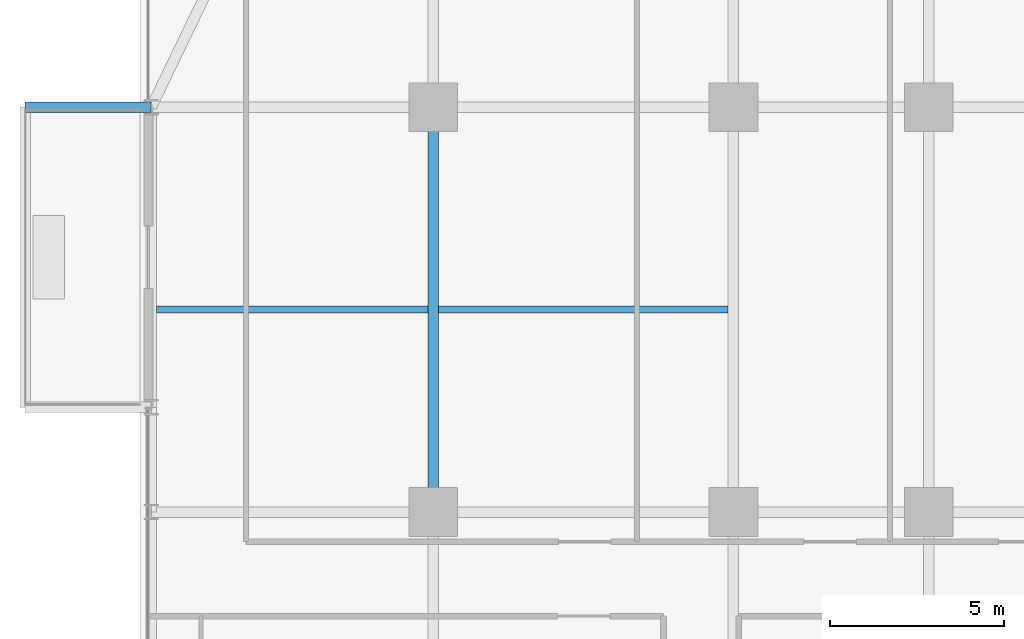
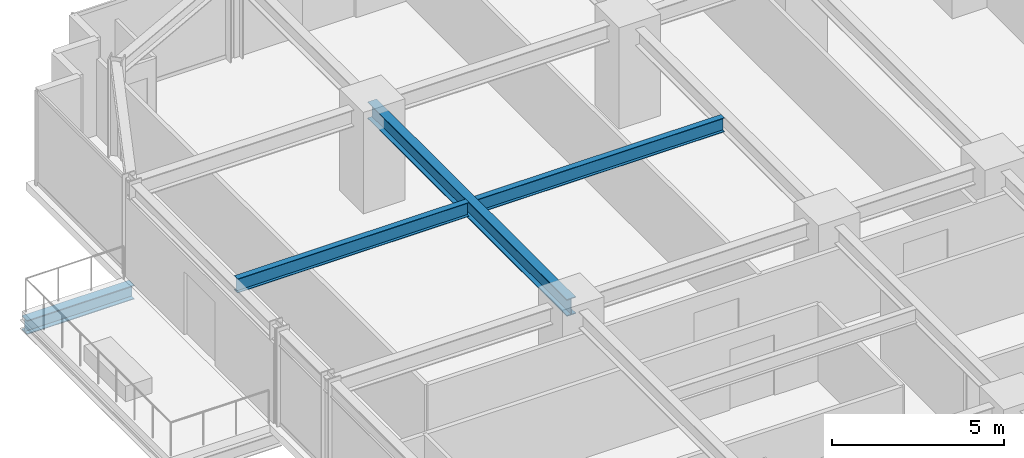
# One storey, part 19 of 36: 4 beams.
"""IFC4 building model written with IfcOpenShell, lengths in metres."""

from ifc_helpers import new_model, si_unit, direction, frame, origin, origin_2d, place, context, subcontext, project, spatial, i_section, extrude, source, transform, mapped, material, material_profile, profile_set, type_object, element, save


model = new_model("IFC4")

# Units and contexts
model_context = context("Model", 3, precision=1e-05, world=origin(), true_north=direction((0.0, 1.0)))
body_context = subcontext(model_context, "Body", "Model", "MODEL_VIEW")
ifc_project = project(units=[si_unit("LENGTHUNIT", "METRE"), si_unit("AREAUNIT", "SQUARE_METRE"), si_unit("VOLUMEUNIT", "CUBIC_METRE"), si_unit("PLANEANGLEUNIT", "RADIAN"), si_unit("MASSUNIT", "GRAM", prefix="KILO")], contexts=[model_context])

# Site, building, storey
site_placement = place(None, origin())
site = spatial("IfcSite", under=ifc_project, at=site_placement, CompositionType="ELEMENT")
building_placement = place(site_placement, origin())
building = spatial("IfcBuilding", under=site, at=building_placement, Name="Nahalor Promenade Grand Hotel", CompositionType="ELEMENT")
storey_placement = place(building_placement, frame((0.0, 0.0, 76.199951171875)))
storey = spatial("IfcBuildingStorey", under=building, at=storey_placement, Name="L18", CompositionType="ELEMENT", Elevation=76.199951171875)

# Beams
ifc_material = material(Name="Steel S355JR", Category="steel")
ifc_material_profile_1 = material_profile(ifc_material, i_section(OverallWidth=0.3, OverallDepth=0.5, WebThickness=0.0145, FlangeThickness=0.028, at=origin_2d()), Name="HEB 500")
ifc_profile_set_1 = profile_set([ifc_material_profile_1], Name="Steel S355JR")
beam_type_1 = type_object("IfcBeamType", Name="Beam-Outrigger-HEB500", PredefinedType="BEAM", material=ifc_profile_set_1)
shared_shape_1 = source(origin(), body_context, "Body", "SweptSolid", [
    extrude(i_section(OverallWidth=0.3, OverallDepth=0.5, WebThickness=0.0145, FlangeThickness=0.028, at=origin_2d()), origin(), (0.0, 0.0, 1.0), 3.60986328125),
])
beam_1_placement = place(storey_placement, frame((-28.68994140625, 17.0, -0.530029296875), z_axis=(1.0, 0.0, 0.0), x_axis=(0.0, 1.0, 0.0)))
element("IfcBeam", 1, at=beam_1_placement, inside=storey, type_object=beam_type_1, Name="BM-L18-BC-02-2", PredefinedType="BEAM", context=body_context, shape_type="MappedRepresentation", body=[
    mapped(shared_shape_1, transform((0.0, 0.0, 0.0), scale=1.0)),
])
ifc_material_profile_2 = material_profile(ifc_material, i_section(OverallWidth=0.3, OverallDepth=0.6, WebThickness=0.0155, FlangeThickness=0.03, at=origin_2d()), Name="HEB 600")
ifc_profile_set_2 = profile_set([ifc_material_profile_2], Name="Steel S355JR")
beam_type_2 = type_object("IfcBeamType", Name="Beam-Girder-HEB600", PredefinedType="BEAM", material=ifc_profile_set_2)
shared_shape_2 = source(origin(), body_context, "Body", "SweptSolid", [
    extrude(i_section(OverallWidth=0.3, OverallDepth=0.6, WebThickness=0.0155, FlangeThickness=0.03, at=origin_2d()), origin(), (0.0, 0.0, 1.0), 11.60009765625),
])
beam_2_placement = place(storey_placement, frame((-17.0, 5.39990234375, 3.070068359375), z_axis=(0.0, 1.0, 0.0), x_axis=(-1.0, 0.0, 0.0)))
element("IfcBeam", 2, at=beam_2_placement, inside=storey, type_object=beam_type_2, Name="BM-L18-GY-0-3", PredefinedType="BEAM", context=body_context, shape_type="MappedRepresentation", body=[
    mapped(shared_shape_2, transform((0.0, 0.0, 0.0), scale=1.0)),
])
ifc_material_profile_3 = material_profile(ifc_material, i_section(OverallWidth=0.2, OverallDepth=0.5, WebThickness=0.0102, FlangeThickness=0.016, at=origin_2d()), Name="IPE 500")
ifc_profile_set_3 = profile_set([ifc_material_profile_3], Name="Steel S355JR")
beam_type_3 = type_object("IfcBeamType", Name="Beam-Joist-IPE500", PredefinedType="JOIST", material=ifc_profile_set_3)
shared_shape_3 = source(origin(), body_context, "Body", "SweptSolid", [
    extrude(i_section(OverallWidth=0.2, OverallDepth=0.5, WebThickness=0.0102, FlangeThickness=0.016, at=origin_2d()), origin(), (0.0, 0.0, 1.0), 8.300048828125),
])
beam_3_placement = place(storey_placement, frame((-16.85009765625, 11.199951171875, 3.1201171875), z_axis=(1.0, 0.0, 0.0), x_axis=(0.0, 1.0, 0.0)))
element("IfcBeam", 3, at=beam_3_placement, inside=storey, type_object=beam_type_3, Name="BM-L18-JSW-1-1", PredefinedType="JOIST", context=body_context, shape_type="MappedRepresentation", body=[
    mapped(shared_shape_3, transform((0.0, 0.0, 0.0), scale=1.0)),
])
shared_shape_4 = source(origin(), body_context, "Body", "SweptSolid", [
    extrude(i_section(OverallWidth=0.2, OverallDepth=0.5, WebThickness=0.0102, FlangeThickness=0.016, at=origin_2d()), origin(), (0.0, 0.0, 1.0), 7.780029296875),
])
beam_4_placement = place(storey_placement, frame((-24.929931640625, 11.199951171875, 3.1201171875), z_axis=(1.0, 0.0, 0.0), x_axis=(0.0, 1.0, 0.0)))
element("IfcBeam", 4, at=beam_4_placement, inside=storey, type_object=beam_type_3, Name="BM-L18-JSW-1-0", PredefinedType="JOIST", context=body_context, shape_type="MappedRepresentation", body=[
    mapped(shared_shape_4, transform((0.0, 0.0, 0.0), scale=1.0)),
])

save(model, "model.ifc")
